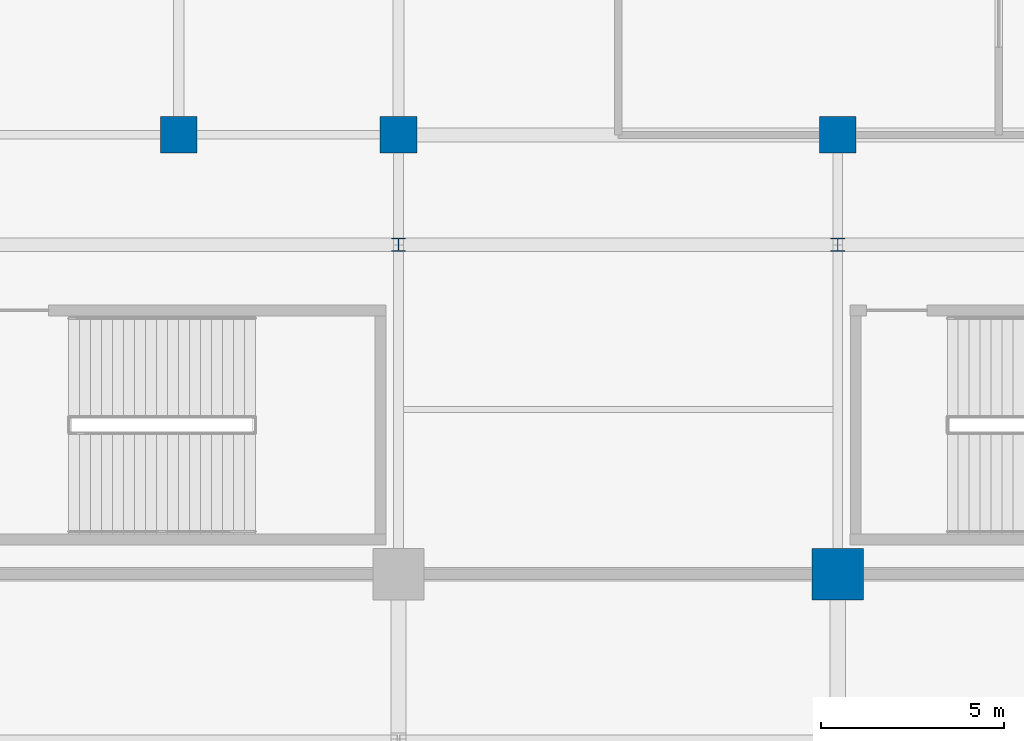
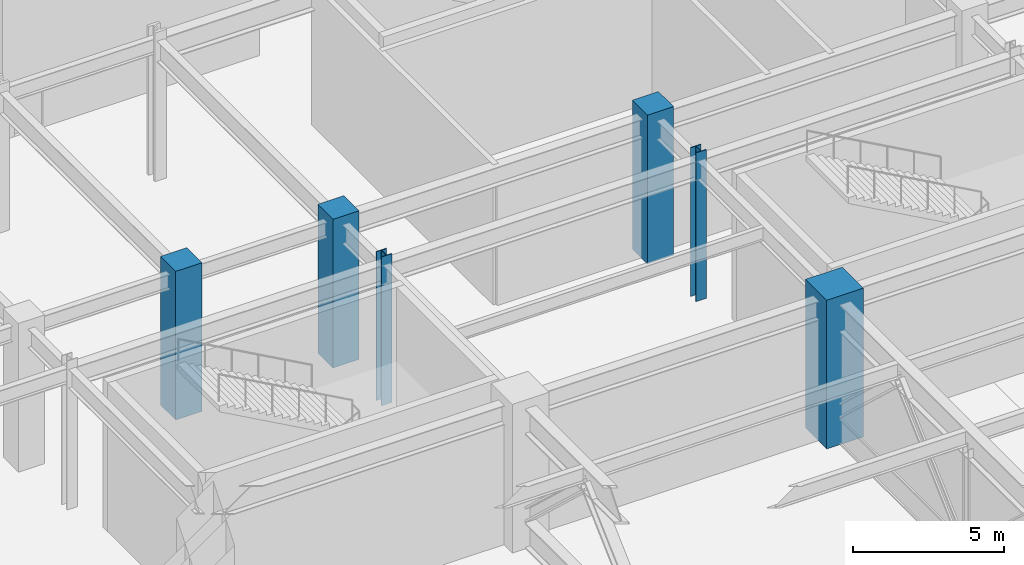
# One storey, part 8 of 108: 6 columns.
"""IFC4 building model written with IfcOpenShell, lengths in metres."""

from ifc_helpers import new_model, si_unit, direction, frame, origin, origin_2d, place, context, subcontext, project, spatial, rectangle, i_section, extrude, material, material_profile, profile_set, type_object, element, save


model = new_model("IFC4")

# Units and contexts
model_context = context("Model", 3, precision=1e-05, world=origin(), true_north=direction((0.0, 1.0)))
body_context = subcontext(model_context, "Body", "Model", "MODEL_VIEW")
ifc_project = project(units=[si_unit("LENGTHUNIT", "METRE"), si_unit("AREAUNIT", "SQUARE_METRE"), si_unit("VOLUMEUNIT", "CUBIC_METRE"), si_unit("PLANEANGLEUNIT", "RADIAN"), si_unit("MASSUNIT", "GRAM", prefix="KILO")], contexts=[model_context])

# Site, building, storey
site_placement = place(None, origin())
site = spatial("IfcSite", under=ifc_project, at=site_placement, CompositionType="ELEMENT")
building_placement = place(site_placement, origin())
building = spatial("IfcBuilding", under=site, at=building_placement, Name="Kaldorvane Square Convention Centre", CompositionType="ELEMENT")
storey_placement = place(building_placement, frame((0.0, 0.0, 12.0)))
storey = spatial("IfcBuildingStorey", under=building, at=storey_placement, Name="L02", CompositionType="ELEMENT", Elevation=12.0)

# Columns
ifc_material_1 = material(Name="Concrete f'c = 55 MPa (Normalweight)", Category="concrete")
ifc_material_profile_1 = material_profile(ifc_material_1, rectangle(XDim=1.399993896484375, YDim=1.399993896484375, at=origin_2d()), Name="RC1400X1400")
ifc_profile_set_1 = profile_set([ifc_material_profile_1], Name="Concrete f'c = 55 MPa (Normalweight)")
column_type_1 = type_object("IfcColumnType", Name="COL-MEGA-1400", PredefinedType="COLUMN", material=ifc_profile_set_1)
column_placement = place(storey_placement, frame((54.0, 72.0, 0.0), z_axis=(0.0, 0.0, 1.0), x_axis=(1.0, 0.0, 0.0)))
element("IfcColumn", 1, at=column_placement, inside=storey, type_object=column_type_1, Name="Column MC-01 (L02)", PredefinedType="COLUMN", context=body_context, shape_type="SweptSolid", body=[
    extrude(rectangle(XDim=1.399993896484375, YDim=1.399993896484375, at=origin_2d()), origin(), (0.0, 0.0, 1.0), 6.0),
])
ifc_material_profile_2 = material_profile(ifc_material_1, rectangle(XDim=1.0, YDim=1.0, at=origin_2d()), Name="RC1000X1000")
ifc_profile_set_2 = profile_set([ifc_material_profile_2], Name="Concrete f'c = 55 MPa (Normalweight)")
column_type_2 = type_object("IfcColumnType", Name="COL-RC-1000", PredefinedType="COLUMN", material=ifc_profile_set_2)
for number, where, z_axis, x_axis, name in (
    (2, (36.0, 84.0, 0.0), (0.0, 0.0, 1.0), (1.0, 0.0, 0.0), "Column CC-02 (L02)"),
    (3, (42.0, 84.0, 0.0), (0.0, 0.0, 1.0), (1.0, 0.0, 0.0), "Column CC-02 (L02)"),
    (4, (54.0, 84.0, 0.0), (0.0, 0.0, 1.0), (1.0, 0.0, 0.0), "Column CC-02 (L02)"),
):
    element("IfcColumn", number, at=place(storey_placement, frame(where, z_axis=z_axis, x_axis=x_axis)), inside=storey, type_object=column_type_2, Name=name, PredefinedType="COLUMN", context=body_context, shape_type="SweptSolid", body=[
        extrude(rectangle(XDim=1.0, YDim=1.0, at=origin_2d()), origin(), (0.0, 0.0, 1.0), 6.0),
    ])
ifc_material_2 = material(Name="Steel ASTM A992 Gr. 50", Category="steel")
ifc_material_profile_3 = material_profile(ifc_material_2, i_section(OverallWidth=0.393707275390625, OverallDepth=0.375396728515625, WebThickness=0.017303466796875, FlangeThickness=0.0276947021484375, FilletRadius=0.0305023193359375, at=origin_2d()), Name="W14X145")
ifc_profile_set_3 = profile_set([ifc_material_profile_3], Name="Steel ASTM A992 Gr. 50")
column_type_3 = type_object("IfcColumnType", Name="COL-STL-145", PredefinedType="COLUMN", material=ifc_profile_set_3)
for number, where, z_axis, x_axis, name in (
    (5, (42.0, 81.0, 0.0), (0.0, 0.0, 1.0), (1.0, 0.0, 0.0), "Column SC-10 (L02)"),
    (6, (54.0, 81.0, 0.0), (0.0, 0.0, 1.0), (1.0, 0.0, 0.0), "Column SC-10 (L02)"),
):
    element("IfcColumn", number, at=place(storey_placement, frame(where, z_axis=z_axis, x_axis=x_axis)), inside=storey, type_object=column_type_3, Name=name, PredefinedType="COLUMN", context=body_context, shape_type="SweptSolid", body=[
        extrude(i_section(OverallWidth=0.393707275390625, OverallDepth=0.375396728515625, WebThickness=0.017303466796875, FlangeThickness=0.0276947021484375, FilletRadius=0.0305023193359375, at=origin_2d()), origin(), (0.0, 0.0, 1.0), 6.0),
    ])

save(model, "model.ifc")
